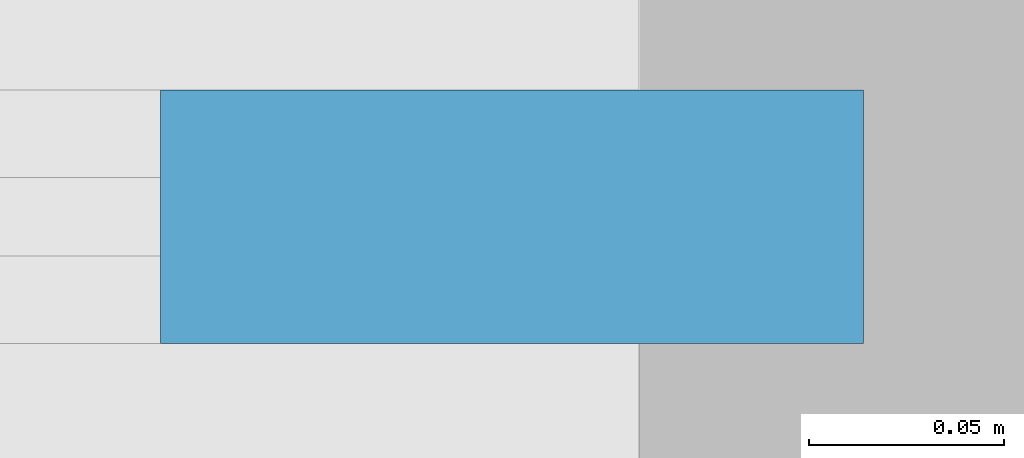
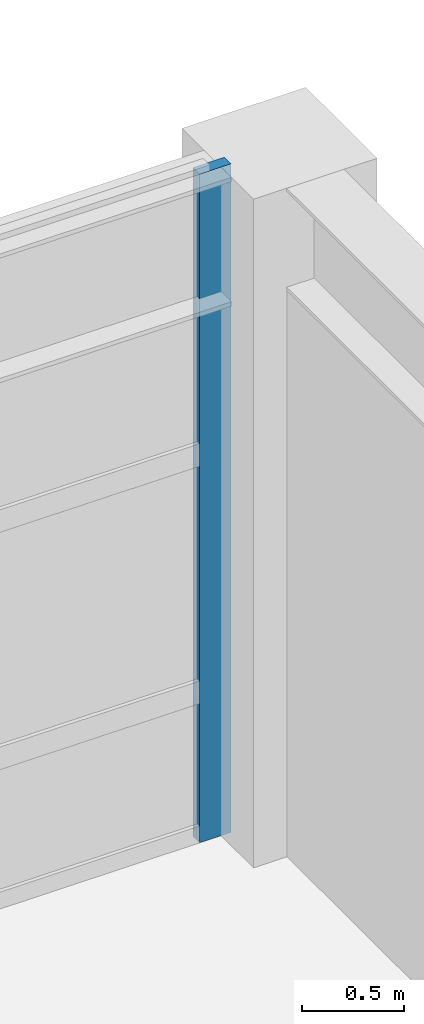
# One storey, part 20 of 48: 1 member, 1 element without a shape of its own.
"""IFC4 building model written with IfcOpenShell, lengths in metres."""

from ifc_helpers import new_model, si_unit, direction, frame, origin, origin_2d, place, context, subcontext, project, spatial, rectangle, extrude, material, layer, layer_set, material_profile, profile_set, type_object, element, aggregate, save


model = new_model("IFC4")

# Units and contexts
model_context = context("Model", 3, precision=1e-05, world=origin(), true_north=direction((0.0, 1.0)))
body_context = subcontext(model_context, "Body", "Model", "MODEL_VIEW")
ifc_project = project(units=[si_unit("LENGTHUNIT", "METRE"), si_unit("AREAUNIT", "SQUARE_METRE"), si_unit("VOLUMEUNIT", "CUBIC_METRE"), si_unit("PLANEANGLEUNIT", "RADIAN"), si_unit("MASSUNIT", "GRAM", prefix="KILO")], contexts=[model_context])

# Site, building, storey
site_placement = place(None, origin())
site = spatial("IfcSite", under=ifc_project, at=site_placement, CompositionType="ELEMENT")
building_placement = place(site_placement, origin())
building = spatial("IfcBuilding", under=site, at=building_placement, Name="Varnela Railside Interchange", CompositionType="ELEMENT")
storey_placement = place(building_placement, frame((0.0, 0.0, 11.199951171875)))
storey = spatial("IfcBuildingStorey", under=building, at=storey_placement, Name="L02", CompositionType="ELEMENT", Elevation=11.199951171875)

# Curtain wall, member
ifc_material = material(Name="Aluminium 6063-T6", Category="aluminium")
ifc_layer = layer(ifc_material, 0.035888671875)
ifc_layer_set = layer_set([ifc_layer], Name="Aluminium 6063-T6")
curtain_wall_type = type_object("IfcCurtainWallType", Name="Concourse Triple-Height Curtain Wall CW-01", PredefinedType="USERDEFINED", material=ifc_layer_set)
curtain_wall_placement = place(storey_placement, origin())
curtain_wall = element("IfcCurtainWall", 1, at=curtain_wall_placement, inside=storey, type_object=curtain_wall_type, Name="Curtain Wall CW-01 (L02) (CW-052)", ObjectType="CURTAIN WALL", PredefinedType="USERDEFINED")
ifc_material_profile = material_profile(ifc_material, rectangle(XDim=0.06494140625, YDim=0.179931640625, at=origin_2d()), Name="ALU 65x180")
ifc_profile_set = profile_set([ifc_material_profile], Name="Aluminium 6063-T6")
member_type = type_object("IfcMemberType", Name="Concourse Tall Mullion ML-03", PredefinedType="MULLION", material=ifc_profile_set)
member_placement = place(storey_placement, frame((67.617431640625, 62.0, 0.0), z_axis=(0.0, 0.0, 1.0), x_axis=(0.0, 1.0, 0.0)))
member = element("IfcMember", 2, at=member_placement, type_object=member_type, Name="CW-01 mullion 5", PredefinedType="MULLION", context=body_context, shape_type="SweptSolid", body=[
    extrude(rectangle(XDim=0.06494140625, YDim=0.179931640625, at=origin_2d()), origin(), (0.0, 0.0, 1.0), 4.0),
])
aggregate(curtain_wall, [member])

save(model, "model.ifc")
